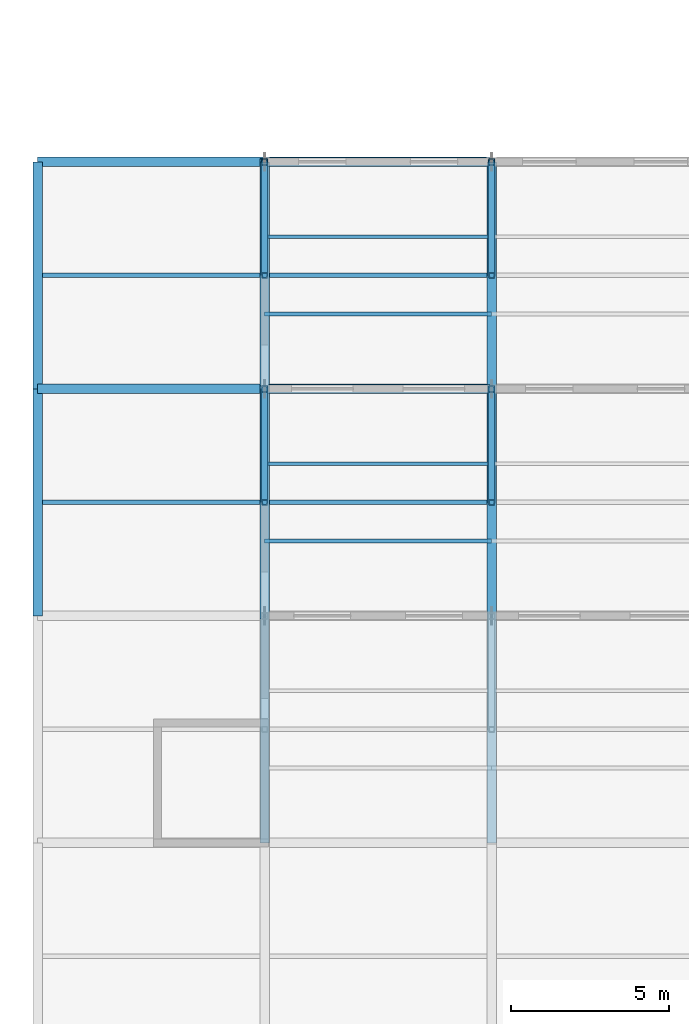
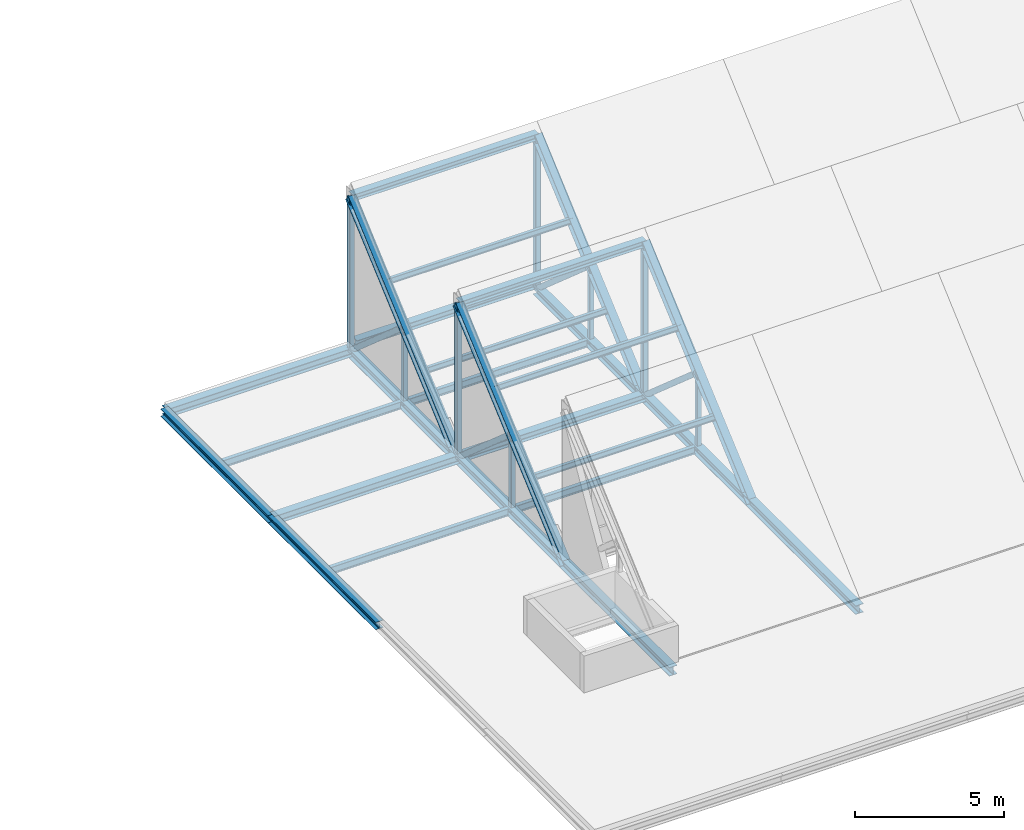
# One storey, part 7 of 31: 18 members, 16 beams.
"""IFC4 building model written with IfcOpenShell, lengths in metres."""

import ifcopenshell
import ifcopenshell.guid

model = None  # the IFC model being written
_history = None  # IfcOwnerHistory: only IFC2X3 demands one
_inside = {}  # id of a spatial element -> (the spatial element, [elements in it])
_under = {}  # id of a project, library or spatial element -> (it, [spatial elements below it])
_declared = {}  # id of a project -> (the project, [libraries it declares])
_typed = {}  # id of a type object -> (the type object, [elements of that type])
_made_of = {}  # id of a material, layer set ... -> (it, [elements and type objects made of it])


def new_model(schema):
    """Start an empty IFC model of exactly this schema.

    Asked for "IFC4X3", IfcOpenShell would pick the latest addendum, in which some entities
    have other attributes; the version numbers below select the first issue.
    IFC2X3 requires an IfcOwnerHistory on every rooted entity: one is made here for all.
    """
    global model, _history
    if schema == "IFC4X3":
        model = ifcopenshell.file(schema_version=(4, 3, 0, 0))
    else:
        model = ifcopenshell.file(schema=schema)
    _inside.clear()
    _under.clear()
    _declared.clear()
    _typed.clear()
    _made_of.clear()
    _history = None
    if model.schema == "IFC2X3":
        org = make("IfcOrganization", Name="unknown")
        user = make(
            "IfcPersonAndOrganization",
            ThePerson=make("IfcPerson", FamilyName="unknown"),
            TheOrganization=org,
        )
        app = make(
            "IfcApplication",
            ApplicationDeveloper=org,
            Version="unknown",
            ApplicationFullName="unknown",
            ApplicationIdentifier="unknown",
        )
        _history = make(
            "IfcOwnerHistory",
            OwningUser=user,
            OwningApplication=app,
            ChangeAction="ADDED",
            CreationDate=0,
        )
    return model


def make(cls, **values):
    """One entity of the class cls with the attributes given. An attribute that is None is left unset."""
    return model.create_entity(
        cls, **{name: value for name, value in values.items() if value is not None}
    )


def rooted(cls, **values):
    """An entity with a GlobalId (a new one), such as an element, a storey or a relation."""
    return make(cls, GlobalId=ifcopenshell.guid.new(), OwnerHistory=_history, **values)


def si_unit(unit_type, name, prefix=None):
    """IfcSIUnit, for example si_unit("LENGTHUNIT", "METRE", prefix="MILLI")."""
    return make("IfcSIUnit", UnitType=unit_type, Prefix=prefix, Name=name)


def assignment(units):
    """IfcUnitAssignment: the units of a project."""
    return None if units is None else make("IfcUnitAssignment", Units=units)


def point(xyz):
    """IfcCartesianPoint."""
    return None if xyz is None else make("IfcCartesianPoint", Coordinates=xyz)


def direction(xyz):
    """IfcDirection."""
    return None if xyz is None else make("IfcDirection", DirectionRatios=xyz)


def frame(location, z_axis=None, x_axis=None):
    """IfcAxis2Placement3D, a coordinate frame: its origin and axes. An axis left out is left unset."""
    return make(
        "IfcAxis2Placement3D",
        Location=point(location),
        Axis=direction(z_axis),
        RefDirection=direction(x_axis),
    )


def frame_2d(location, x_axis=None):
    """IfcAxis2Placement2D, a coordinate frame in the plane: its origin and x axis."""
    return make(
        "IfcAxis2Placement2D", Location=point(location), RefDirection=direction(x_axis)
    )


def origin():
    """The frame at (0, 0, 0) with its axes left unset."""
    return frame((0.0, 0.0, 0.0))


def origin_2d():
    """The frame at (0, 0) in the plane with its x axis left unset."""
    return frame_2d((0.0, 0.0))


def place(relative_to, where):
    """IfcLocalPlacement: puts the frame where relative to a parent placement (None: the world)."""
    return make(
        "IfcLocalPlacement", PlacementRelTo=relative_to, RelativePlacement=where
    )


def context(
    kind, dimensions, precision=None, world=None, true_north=None, identifier=None
):
    """IfcGeometricRepresentationContext, for example the 3D "Model" context."""
    return make(
        "IfcGeometricRepresentationContext",
        ContextIdentifier=identifier,
        ContextType=kind,
        CoordinateSpaceDimension=dimensions,
        Precision=precision,
        WorldCoordinateSystem=world,
        TrueNorth=true_north,
    )


def subcontext(parent, identifier, kind, view, scale=None):
    """IfcGeometricRepresentationSubContext, for example "Body" below "Model"."""
    return make(
        "IfcGeometricRepresentationSubContext",
        ContextIdentifier=identifier,
        ContextType=kind,
        ParentContext=parent,
        TargetScale=scale,
        TargetView=view,
    )


def project(units=None, contexts=None):
    """IfcProject with its units and contexts."""
    return rooted(
        "IfcProject",
        Name="project",
        RepresentationContexts=contexts,
        UnitsInContext=assignment(units),
    )


def spatial(cls, under=None, at=None, **own):
    """A site, building, storey or space (cls), placed at a placement, below another one or the project."""
    s = rooted(cls, ObjectPlacement=at, **own)
    if under is not None:
        _under.setdefault(under.id(), (under, []))[1].append(s)
    return s


def profile(cls, at=None, kind="AREA", **sizes):
    """A parametric profile (cls). Its sizes go by their IFC names, for example OverallWidth=200.0."""
    return make(cls, ProfileType=kind, Position=at, **sizes)


def hollow_rectangle(**sizes):
    """IfcRectangleHollowProfileDef."""
    return profile("IfcRectangleHollowProfileDef", **sizes)


def hollow_circle(**sizes):
    """IfcCircleHollowProfileDef."""
    return profile("IfcCircleHollowProfileDef", **sizes)


def i_section(**sizes):
    """IfcIShapeProfileDef."""
    return profile("IfcIShapeProfileDef", **sizes)


def extrude(swept, where, along, depth):
    """IfcExtrudedAreaSolid: the profile swept, set in the frame where, extruded along a direction by depth."""
    return make(
        "IfcExtrudedAreaSolid",
        SweptArea=swept,
        Position=where,
        ExtrudedDirection=direction(along),
        Depth=depth,
    )


def shape(context_of_items, identifier, shape_type, items):
    """IfcShapeRepresentation: the items that make up one representation, for example the "Body"."""
    return make(
        "IfcShapeRepresentation",
        ContextOfItems=context_of_items,
        RepresentationIdentifier=identifier,
        RepresentationType=shape_type,
        Items=items,
    )


def material(Name=None, Category=None):
    """IfcMaterial."""
    return make("IfcMaterial", Name=Name, Category=Category)


def material_profile(
    of_material, cross_section, Name=None, Category=None, Priority=None
):
    """IfcMaterialProfile: a cross section and its material."""
    return make(
        "IfcMaterialProfile",
        Name=Name,
        Material=of_material,
        Profile=cross_section,
        Priority=Priority,
        Category=Category,
    )


def profile_set(profiles, Name=None, composite=None):
    """IfcMaterialProfileSet."""
    return make(
        "IfcMaterialProfileSet",
        Name=Name,
        MaterialProfiles=profiles,
        CompositeProfile=composite,
    )


def made_of(thing, what):
    """Note that an element or type object is made of a material, layer set ...; save() writes the relation."""
    if what is not None:
        _made_of.setdefault(what.id(), (what, []))[1].append(thing)
    return thing


def type_object(cls, material=None, **own):
    """A type object (cls), such as IfcWallType, which elements share."""
    return made_of(rooted(cls, **own), material)


def element(
    cls,
    number,
    at=None,
    inside=None,
    cuts=None,
    type_object=None,
    material=None,
    context=None,
    identifier="Body",
    shape_type=None,
    held_by="IfcProductDefinitionShape",
    body=None,
    shapes=None,
    **own,
):
    """One element of the class cls, such as IfcWall. Its Tag is "e" and its number.

    at: its placement. inside: the storey or other place that contains it. cuts: it is an
    opening in that element (IfcRelVoidsElement). A single representation is given by context,
    identifier, shape_type and body (its items); several are given by shapes. held_by: the class
    of the entity that holds the representations. save() writes the other relations.
    """
    e = rooted(cls, Tag="e%d" % number, ObjectPlacement=at, **own)
    if body is not None:
        shapes = [shape(context, identifier, shape_type, body)]
    if shapes is not None:
        e.Representation = make(held_by, Representations=shapes)
    if inside is not None:
        _inside.setdefault(inside.id(), (inside, []))[1].append(e)
    if cuts is not None:
        rooted(
            "IfcRelVoidsElement", RelatingBuildingElement=cuts, RelatedOpeningElement=e
        )
    if type_object is not None:
        _typed.setdefault(type_object.id(), (type_object, []))[1].append(e)
    return made_of(e, material)


def aggregate(whole, parts):
    """IfcRelAggregates: a whole, such as a stair, and the parts it consists of."""
    return rooted("IfcRelAggregates", RelatingObject=whole, RelatedObjects=parts)


def save(model, path):
    """Write the relations noted so far, then the file.

    IfcRelAggregates (storeys below a building ...), IfcRelContainedInSpatialStructure (elements
    in a storey), IfcRelDefinesByType, IfcRelAssociatesMaterial and IfcRelDeclares: one each for
    every whole, place, type object, material and project.
    """
    for whole, parts in _under.values():
        aggregate(whole, parts)
    for where, things in _inside.values():
        rooted(
            "IfcRelContainedInSpatialStructure",
            RelatedElements=things,
            RelatingStructure=where,
        )
    for kind, things in _typed.values():
        rooted("IfcRelDefinesByType", RelatedObjects=things, RelatingType=kind)
    for what, things in _made_of.values():
        rooted("IfcRelAssociatesMaterial", RelatedObjects=things, RelatingMaterial=what)
    for by, libraries in _declared.values():
        rooted("IfcRelDeclares", RelatingContext=by, RelatedDefinitions=libraries)
    model.write(path)


model = new_model("IFC4")

# Units and contexts
model_context = context("Model", 3, precision=1e-05, world=origin(), true_north=direction((0.0, 1.0)))
body_context = subcontext(model_context, "Body", "Model", "MODEL_VIEW")
ifc_project = project(units=[si_unit("LENGTHUNIT", "METRE"), si_unit("AREAUNIT", "SQUARE_METRE"), si_unit("VOLUMEUNIT", "CUBIC_METRE"), si_unit("PLANEANGLEUNIT", "RADIAN"), si_unit("MASSUNIT", "GRAM", prefix="KILO")], contexts=[model_context])

# Site, building, storey
site_placement = place(None, origin())
site = spatial("IfcSite", under=ifc_project, at=site_placement, CompositionType="ELEMENT")
building_placement = place(site_placement, origin())
building = spatial("IfcBuilding", under=site, at=building_placement, Name="Zlatovets Crest Museum", CompositionType="ELEMENT")
storey_placement = place(building_placement, frame((0.0, 0.0, 25.199951171875)))
storey = spatial("IfcBuildingStorey", under=building, at=storey_placement, Name="L05", CompositionType="ELEMENT", Elevation=25.199951171875)

# Beams
ifc_material = material(Name="Structural steel S355J2", Category="steel")
ifc_material_profile_1 = material_profile(ifc_material, i_section(OverallWidth=0.300048828125, OverallDepth=0.35009765625, WebThickness=0.010009765625, FlangeThickness=0.017578125, FilletRadius=0.027099609375, at=origin_2d()), Name="HEA 360")
ifc_profile_set_1 = profile_set([ifc_material_profile_1], Name="Structural steel S355J2")
beam_type_1 = type_object("IfcBeamType", Name="Beam_B-03", PredefinedType="BEAM", material=ifc_profile_set_1)
for number, where, z_axis, x_axis, name in (
    (1, (57.60009765625, 21.60009765625, -0.39501953125), (1.0, 0.0, 0.0), (0.0, 1.0, 0.0), "V2 L05 Primary Girder B-03"),
    (2, (57.60009765625, 28.800048828125, -0.39501953125), (1.0, 0.0, 0.0), (0.0, 1.0, 0.0), "V2 L05 Primary Girder B-03"),
):
    element("IfcBeam", number, at=place(storey_placement, frame(where, z_axis=z_axis, x_axis=x_axis)), inside=storey, type_object=beam_type_1, Name=name, PredefinedType="BEAM", context=body_context, shape_type="SweptSolid", body=[
        extrude(i_section(OverallWidth=0.300048828125, OverallDepth=0.35009765625, WebThickness=0.010009765625, FlangeThickness=0.017578125, FilletRadius=0.027099609375, at=origin_2d()), origin(), (0.0, 0.0, 1.0), 7.199951171875),
    ])
ifc_material_profile_2 = material_profile(ifc_material, i_section(OverallWidth=0.300048828125, OverallDepth=0.31005859375, WebThickness=0.009033203125, FlangeThickness=0.015380859375, FilletRadius=0.027099609375, at=origin_2d()), Name="HEA 320")
ifc_profile_set_2 = profile_set([ifc_material_profile_2], Name="Structural steel S355J2")
beam_type_2 = type_object("IfcBeamType", Name="Beam_B-04", PredefinedType="BEAM", material=ifc_profile_set_2)
beam_1_placement = place(storey_placement, frame((57.60009765625, 14.39990234375, -0.375), z_axis=(0.0, 1.0, 0.0), x_axis=(-1.0, 0.0, 0.0)))
element("IfcBeam", 3, at=beam_1_placement, inside=storey, type_object=beam_type_2, Name="V2 L05 Grid Beam B-04", PredefinedType="BEAM", context=body_context, shape_type="SweptSolid", body=[
    extrude(i_section(OverallWidth=0.300048828125, OverallDepth=0.31005859375, WebThickness=0.009033203125, FlangeThickness=0.015380859375, FilletRadius=0.027099609375, at=origin_2d()), origin(), (0.0, 0.0, 1.0), 7.2001953125),
])
for number, where, z_axis, x_axis, name in (
    (4, (57.60009765625, 21.60009765625, -0.375), (0.0, 1.0, 0.0), (-1.0, 0.0, 0.0), "V2 L05 Grid Beam B-04"),
    (5, (64.800048828125, 21.60009765625, -0.39990234375), (1.0, 0.0, 0.0), (0.0, 1.0, 0.0), "V2 Sawtooth Tooth 2 Valley / Clerestory Sill Girder"),
):
    element("IfcBeam", number, at=place(storey_placement, frame(where, z_axis=z_axis, x_axis=x_axis)), inside=storey, type_object=beam_type_2, Name=name, PredefinedType="BEAM", context=body_context, shape_type="SweptSolid", body=[
        extrude(i_section(OverallWidth=0.300048828125, OverallDepth=0.31005859375, WebThickness=0.009033203125, FlangeThickness=0.015380859375, FilletRadius=0.027099609375, at=origin_2d()), origin(), (0.0, 0.0, 1.0), 7.199951171875),
    ])
beam_2_placement = place(storey_placement, frame((64.9599609375, 28.800048828125, -0.135009765625), z_axis=(1.0, 0.0, 0.0), x_axis=(0.0, 1.0, 0.0)))
element("IfcBeam", 6, at=beam_2_placement, inside=storey, type_object=beam_type_2, Name="V2 Sawtooth Tooth 3 Valley / Clerestory Sill Girder", PredefinedType="BEAM", context=body_context, shape_type="SweptSolid", body=[
    extrude(i_section(OverallWidth=0.300048828125, OverallDepth=0.31005859375, WebThickness=0.009033203125, FlangeThickness=0.015380859375, FilletRadius=0.027099609375, at=origin_2d()), origin(), (0.0, 0.0, 1.0), 6.880126953125),
])
ifc_material_profile_3 = material_profile(ifc_material, i_section(OverallWidth=0.280029296875, OverallDepth=0.27001953125, WebThickness=0.008056640625, FlangeThickness=0.012939453125, FilletRadius=0.02392578125, at=origin_2d()), Name="HEA 280")
ifc_profile_set_3 = profile_set([ifc_material_profile_3], Name="Structural steel S355J2")
beam_type_3 = type_object("IfcBeamType", Name="Beam_B-05", PredefinedType="BEAM", material=ifc_profile_set_3)
for number, where, z_axis, x_axis, name in (
    (7, (64.800048828125, 21.60009765625, 5.8857421875), (1.0, 0.0, 0.0), (0.0, 1.0, 0.0), "V2 Sawtooth Tooth 2 Ridge Girder"),
    (8, (64.800048828125, 28.800048828125, 5.8857421875), (1.0, 0.0, 0.0), (0.0, 1.0, 0.0), "V2 Sawtooth Tooth 3 Ridge Girder"),
):
    element("IfcBeam", number, at=place(storey_placement, frame(where, z_axis=z_axis, x_axis=x_axis)), inside=storey, type_object=beam_type_3, Name=name, PredefinedType="BEAM", context=body_context, shape_type="SweptSolid", body=[
        extrude(i_section(OverallWidth=0.280029296875, OverallDepth=0.27001953125, WebThickness=0.008056640625, FlangeThickness=0.012939453125, FilletRadius=0.02392578125, at=origin_2d()), origin(), (0.0, 0.0, 1.0), 7.199951171875),
    ])
ifc_material_profile_4 = material_profile(ifc_material, i_section(OverallWidth=0.14990234375, OverallDepth=0.300048828125, WebThickness=0.007080078125, FlangeThickness=0.0107421875, FilletRadius=0.014892578125, at=origin_2d()), Name="IPE 300")
ifc_profile_set_4 = profile_set([ifc_material_profile_4], Name="Structural steel S355J2")
beam_type_4 = type_object("IfcBeamType", Name="Beam_J-02", PredefinedType="JOIST", material=ifc_profile_set_4)
for number, where, z_axis, x_axis, name in (
    (9, (57.75, 18.0, -0.369873046875), (1.0, 0.0, 0.0), (0.0, 1.0, 0.0), "V2 L05 Composite Joist J-02"),
    (10, (57.75, 25.199951171875, -0.369873046875), (1.0, 0.0, 0.0), (0.0, 1.0, 0.0), "V2 L05 Composite Joist J-02"),
):
    element("IfcBeam", number, at=place(storey_placement, frame(where, z_axis=z_axis, x_axis=x_axis)), inside=storey, type_object=beam_type_4, Name=name, PredefinedType="JOIST", context=body_context, shape_type="SweptSolid", body=[
        extrude(i_section(OverallWidth=0.14990234375, OverallDepth=0.300048828125, WebThickness=0.007080078125, FlangeThickness=0.0107421875, FilletRadius=0.014892578125, at=origin_2d()), origin(), (0.0, 0.0, 1.0), 6.89990234375),
    ])
for number, where, z_axis, x_axis, name in (
    (11, (64.949951171875, 18.0, -0.369873046875), (1.0, 0.0, 0.0), (0.0, 1.0, 0.0), "V2 L05 Composite Joist J-02"),
    (12, (64.949951171875, 25.199951171875, -0.369873046875), (1.0, 0.0, 0.0), (0.0, 1.0, 0.0), "V2 L05 Composite Joist J-02"),
):
    element("IfcBeam", number, at=place(storey_placement, frame(where, z_axis=z_axis, x_axis=x_axis)), inside=storey, type_object=beam_type_4, Name=name, PredefinedType="JOIST", context=body_context, shape_type="SweptSolid", body=[
        extrude(i_section(OverallWidth=0.14990234375, OverallDepth=0.300048828125, WebThickness=0.007080078125, FlangeThickness=0.0107421875, FilletRadius=0.014892578125, at=origin_2d()), origin(), (0.0, 0.0, 1.0), 6.900146484375),
    ])
ifc_material_profile_5 = material_profile(ifc_material, i_section(OverallWidth=0.1201171875, OverallDepth=0.239990234375, WebThickness=0.006103515625, FlangeThickness=0.009765625, FilletRadius=0.014892578125, at=origin_2d()), Name="IPE 240")
ifc_profile_set_5 = profile_set([ifc_material_profile_5], Name="Structural steel S355J2")
beam_type_5 = type_object("IfcBeamType", Name="Beam_PR-01", PredefinedType="BEAM", material=ifc_profile_set_5)
for number, where, z_axis, x_axis, name in (
    (13, (64.800048828125, 16.77587890625, 1.672607421875), (1.0, 0.0, 0.0), (0.0, 1.0, 0.0), "V2 Sawtooth Tooth 2 Purlin PR-01"),
    (14, (64.800048828125, 19.22412109375, 3.8486328125), (1.0, 0.0, 0.0), (0.0, 1.0, 0.0), "V2 Sawtooth Tooth 2 Purlin PR-01"),
    (15, (64.800048828125, 23.97607421875, 1.672607421875), (1.0, 0.0, 0.0), (0.0, 1.0, 0.0), "V2 Sawtooth Tooth 3 Purlin PR-01"),
    (16, (64.800048828125, 26.424072265625, 3.8486328125), (1.0, 0.0, 0.0), (0.0, 1.0, 0.0), "V2 Sawtooth Tooth 3 Purlin PR-01"),
):
    element("IfcBeam", number, at=place(storey_placement, frame(where, z_axis=z_axis, x_axis=x_axis)), inside=storey, type_object=beam_type_5, Name=name, PredefinedType="BEAM", context=body_context, shape_type="SweptSolid", body=[
        extrude(i_section(OverallWidth=0.1201171875, OverallDepth=0.239990234375, WebThickness=0.006103515625, FlangeThickness=0.009765625, FilletRadius=0.014892578125, at=origin_2d()), origin(), (0.0, 0.0, 1.0), 7.199951171875),
    ])

# Members
ifc_material_profile_6 = material_profile(ifc_material, i_section(OverallWidth=0.300048828125, OverallDepth=0.360107421875, WebThickness=0.012451171875, FlangeThickness=0.0224609375, FilletRadius=0.027099609375, at=origin_2d()), Name="HEB 360")
ifc_profile_set_6 = profile_set([ifc_material_profile_6], Name="Structural steel S355J2")
member_type_1 = type_object("IfcMemberType", Name="Member_TM-01", PredefinedType="CHORD", material=ifc_profile_set_6)
for number, where, z_axis, x_axis, name in (
    (17, (64.800048828125, 7.199951171875, -0.39990234375), (0.0, 1.0, 0.0), (-1.0, 0.0, 0.0), "V2 Multi-Tooth Sawtooth Truss Bottom Tie Chord"),
    (18, (72.0, 7.199951171875, -0.39990234375), (0.0, 1.0, 0.0), (-1.0, 0.0, 0.0), "V2 Multi-Tooth Sawtooth Truss Bottom Tie Chord"),
):
    element("IfcMember", number, at=place(storey_placement, frame(where, z_axis=z_axis, x_axis=x_axis)), inside=storey, type_object=member_type_1, Name=name, PredefinedType="CHORD", context=body_context, shape_type="SweptSolid", body=[
        extrude(i_section(OverallWidth=0.300048828125, OverallDepth=0.360107421875, WebThickness=0.012451171875, FlangeThickness=0.0224609375, FilletRadius=0.027099609375, at=origin_2d()), origin(), (0.0, 0.0, 1.0), 21.60009765625),
    ])
ifc_material_profile_7 = material_profile(ifc_material, i_section(OverallWidth=0.300048828125, OverallDepth=0.31005859375, WebThickness=0.009033203125, FlangeThickness=0.015380859375, FilletRadius=0.027099609375, at=origin_2d()), Name="HEA 320")
ifc_profile_set_7 = profile_set([ifc_material_profile_7], Name="Structural steel S355J2")
member_type_2 = type_object("IfcMemberType", Name="Member_TM-02", PredefinedType="RAFTER", material=ifc_profile_set_7)
member_1_placement = place(storey_placement, frame((64.800048828125, 14.39990234375, -0.39990234375), z_axis=(0.0, 0.753329397093, 0.657643383207), x_axis=(-1.0, 0.0, 0.0)))
element("IfcMember", 19, at=member_1_placement, inside=storey, type_object=member_type_2, Name="V2 Sawtooth Tooth 2 Rafter Chord", PredefinedType="RAFTER", context=body_context, shape_type="SweptSolid", body=[
    extrude(i_section(OverallWidth=0.300048828125, OverallDepth=0.31005859375, WebThickness=0.009033203125, FlangeThickness=0.015380859375, FilletRadius=0.027099609375, at=origin_2d()), origin(), (0.0, 0.0, 1.0), 9.557861328125),
])
member_2_placement = place(storey_placement, frame((64.800048828125, 21.60009765625, -0.39990234375), z_axis=(0.0, 0.753318349335, 0.65765603818), x_axis=(-1.0, 0.0, 0.0)))
element("IfcMember", 20, at=member_2_placement, inside=storey, type_object=member_type_2, Name="V2 Sawtooth Tooth 3 Rafter Chord", PredefinedType="RAFTER", context=body_context, shape_type="SweptSolid", body=[
    extrude(i_section(OverallWidth=0.300048828125, OverallDepth=0.31005859375, WebThickness=0.009033203125, FlangeThickness=0.015380859375, FilletRadius=0.027099609375, at=origin_2d()), origin(), (0.0, 0.0, 1.0), 9.5576171875),
])
member_3_placement = place(storey_placement, frame((72.0, 14.39990234375, -0.39990234375), z_axis=(0.0, 0.753329397093, 0.657643383207), x_axis=(-1.0, 0.0, 0.0)))
element("IfcMember", 21, at=member_3_placement, inside=storey, type_object=member_type_2, Name="V2 Sawtooth Tooth 2 Rafter Chord", PredefinedType="RAFTER", context=body_context, shape_type="SweptSolid", body=[
    extrude(i_section(OverallWidth=0.300048828125, OverallDepth=0.31005859375, WebThickness=0.009033203125, FlangeThickness=0.015380859375, FilletRadius=0.027099609375, at=origin_2d()), origin(), (0.0, 0.0, 1.0), 9.557861328125),
])
member_4_placement = place(storey_placement, frame((72.0, 21.60009765625, -0.39990234375), z_axis=(0.0, 0.753318349335, 0.65765603818), x_axis=(-1.0, 0.0, 0.0)))
element("IfcMember", 22, at=member_4_placement, inside=storey, type_object=member_type_2, Name="V2 Sawtooth Tooth 3 Rafter Chord", PredefinedType="RAFTER", context=body_context, shape_type="SweptSolid", body=[
    extrude(i_section(OverallWidth=0.300048828125, OverallDepth=0.31005859375, WebThickness=0.009033203125, FlangeThickness=0.015380859375, FilletRadius=0.027099609375, at=origin_2d()), origin(), (0.0, 0.0, 1.0), 9.5576171875),
])
ifc_material_profile_8 = material_profile(ifc_material, hollow_rectangle(XDim=0.199951171875, YDim=0.199951171875, WallThickness=0.012451171875, InnerFilletRadius=0.012451171875, OuterFilletRadius=0.02490234375, at=origin_2d()), Name="SHS 200x200x12.5")
ifc_profile_set_8 = profile_set([ifc_material_profile_8], Name="Structural steel S355J2")
member_type_3 = type_object("IfcMemberType", Name="Member_TM-03", PredefinedType="BRACE", material=ifc_profile_set_8)
for number, where, z_axis, x_axis, name in (
    (23, (64.800048828125, 21.60009765625, -0.39990234375), (0.0, 0.0, 1.0), (1.0, 0.0, 0.0), "V2 Sawtooth Tooth 2 North-Light Post"),
    (24, (64.800048828125, 28.800048828125, -0.39990234375), (0.0, 0.0, 1.0), (1.0, 0.0, 0.0), "V2 Sawtooth Tooth 3 North-Light Post"),
    (25, (72.0, 21.60009765625, -0.39990234375), (0.0, 0.0, 1.0), (1.0, 0.0, 0.0), "V2 Sawtooth Tooth 2 North-Light Post"),
    (26, (72.0, 28.800048828125, -0.39990234375), (0.0, 0.0, 1.0), (1.0, 0.0, 0.0), "V2 Sawtooth Tooth 3 North-Light Post"),
):
    element("IfcMember", number, at=place(storey_placement, frame(where, z_axis=z_axis, x_axis=x_axis)), inside=storey, type_object=member_type_3, Name=name, PredefinedType="BRACE", context=body_context, shape_type="SweptSolid", body=[
        extrude(hollow_rectangle(XDim=0.199951171875, YDim=0.199951171875, WallThickness=0.012451171875, InnerFilletRadius=0.012451171875, OuterFilletRadius=0.02490234375, at=origin_2d()), origin(), (0.0, 0.0, 1.0), 6.28564453125),
    ])
ifc_material_profile_9 = material_profile(ifc_material, hollow_rectangle(XDim=0.179931640625, YDim=0.179931640625, WallThickness=0.010009765625, InnerFilletRadius=0.010009765625, OuterFilletRadius=0.02001953125, at=origin_2d()), Name="SHS 180x180x10.0")
ifc_profile_set_9 = profile_set([ifc_material_profile_9], Name="Structural steel S355J2")
member_type_4 = type_object("IfcMemberType", Name="Member_TM-04", PredefinedType="STRUT", material=ifc_profile_set_9)
for number, where, z_axis, x_axis, name in (
    (27, (64.800048828125, 18.0, -0.39990234375), (0.0, 0.0, 1.0), (1.0, 0.0, 0.0), "V2 Sawtooth Tooth 2 Web Post"),
    (28, (64.800048828125, 25.199951171875, -0.39990234375), (0.0, 0.0, 1.0), (1.0, 0.0, 0.0), "V2 Sawtooth Tooth 3 Web Post"),
    (29, (72.0, 18.0, -0.39990234375), (0.0, 0.0, 1.0), (1.0, 0.0, 0.0), "V2 Sawtooth Tooth 2 Web Post"),
    (30, (72.0, 25.199951171875, -0.39990234375), (0.0, 0.0, 1.0), (1.0, 0.0, 0.0), "V2 Sawtooth Tooth 3 Web Post"),
):
    element("IfcMember", number, at=place(storey_placement, frame(where, z_axis=z_axis, x_axis=x_axis)), inside=storey, type_object=member_type_4, Name=name, PredefinedType="STRUT", context=body_context, shape_type="SweptSolid", body=[
        extrude(hollow_rectangle(XDim=0.179931640625, YDim=0.179931640625, WallThickness=0.010009765625, InnerFilletRadius=0.010009765625, OuterFilletRadius=0.02001953125, at=origin_2d()), origin(), (0.0, 0.0, 1.0), 3.142822265625),
    ])
ifc_material_profile_10 = material_profile(ifc_material, hollow_circle(Radius=0.109619140625, WallThickness=0.010009765625, at=origin_2d()), Name="CHS 219.1x10.0")
ifc_profile_set_10 = profile_set([ifc_material_profile_10], Name="Structural steel S355J2")
member_type_5 = type_object("IfcMemberType", Name="Member_TM-05", PredefinedType="BRACE", material=ifc_profile_set_10)
for number, where, z_axis, x_axis, name in (
    (31, (64.800048828125, 18.0, 2.742919921875), (0.0, 0.753329397093, -0.657643383207), (-1.0, 0.0, 0.0), "V2 Sawtooth Tooth 2 Web Diagonal"),
    (32, (64.800048828125, 25.199951171875, 2.742919921875), (0.0, 0.753329397093, -0.657643383207), (-1.0, 0.0, 0.0), "V2 Sawtooth Tooth 3 Web Diagonal"),
    (33, (72.0, 18.0, 2.742919921875), (0.0, 0.753329397093, -0.657643383207), (-1.0, 0.0, 0.0), "V2 Sawtooth Tooth 2 Web Diagonal"),
    (34, (72.0, 25.199951171875, 2.742919921875), (0.0, 0.753329397093, -0.657643383207), (-1.0, 0.0, 0.0), "V2 Sawtooth Tooth 3 Web Diagonal"),
):
    element("IfcMember", number, at=place(storey_placement, frame(where, z_axis=z_axis, x_axis=x_axis)), inside=storey, type_object=member_type_5, Name=name, PredefinedType="BRACE", context=body_context, shape_type="SweptSolid", body=[
        extrude(hollow_circle(Radius=0.109619140625, WallThickness=0.010009765625, at=origin_2d()), origin(), (0.0, 0.0, 1.0), 4.77880859375),
    ])

save(model, "model.ifc")
